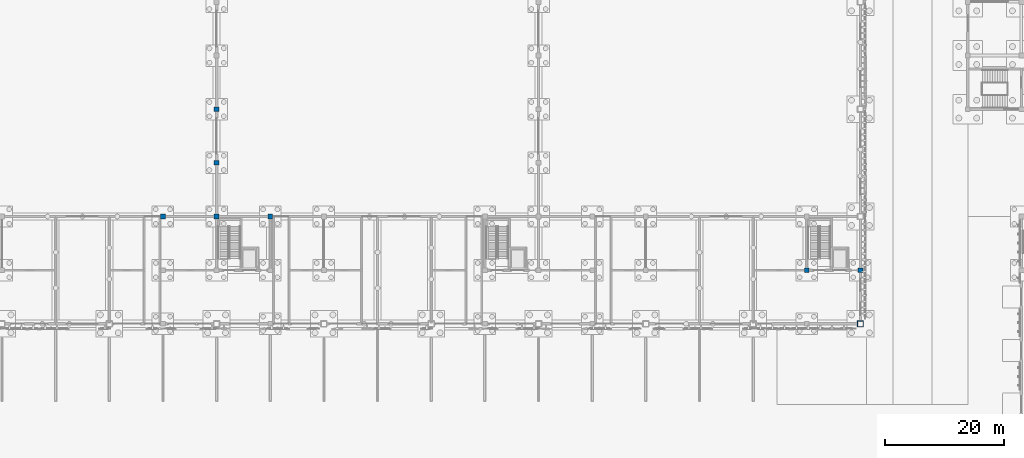
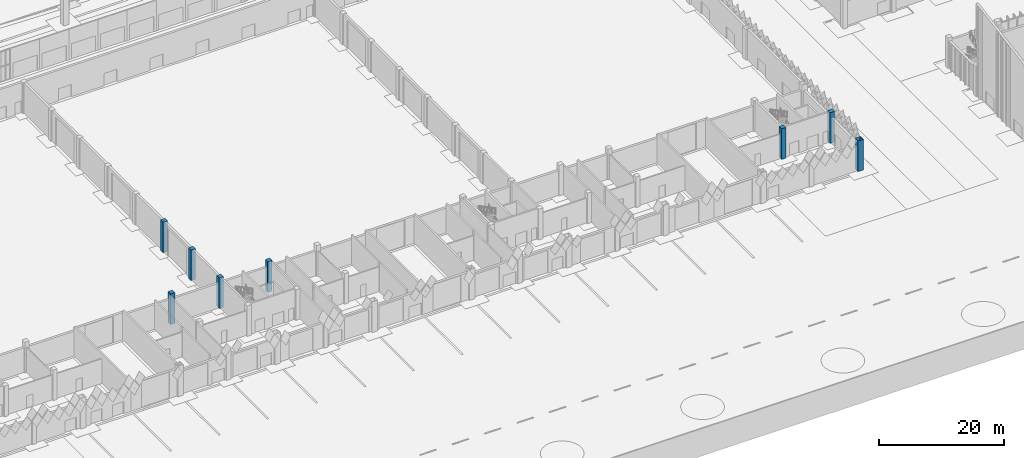
# One storey, part 21 of 198: 8 columns.
"""IFC4 building model written with IfcOpenShell, lengths in metres."""

from ifc_helpers import new_model, si_unit, direction, frame, origin, origin_2d, place, context, subcontext, project, spatial, rectangle, hollow_rectangle, extrude, material, material_profile, profile_set, type_object, element, save


model = new_model("IFC4")

# Units and contexts
model_context = context("Model", 3, precision=1e-05, world=origin(), true_north=direction((0.0, 1.0)))
body_context = subcontext(model_context, "Body", "Model", "MODEL_VIEW")
ifc_project = project(units=[si_unit("LENGTHUNIT", "METRE"), si_unit("AREAUNIT", "SQUARE_METRE"), si_unit("VOLUMEUNIT", "CUBIC_METRE"), si_unit("PLANEANGLEUNIT", "RADIAN"), si_unit("MASSUNIT", "GRAM", prefix="KILO")], contexts=[model_context])

# Site, building, storey
site_placement = place(None, origin())
site = spatial("IfcSite", under=ifc_project, at=site_placement, CompositionType="ELEMENT")
building_placement = place(site_placement, origin())
building = spatial("IfcBuilding", under=site, at=building_placement, Name="Opaline Strait Convention Centre", CompositionType="ELEMENT")
storey_placement = place(building_placement, origin())
storey = spatial("IfcBuildingStorey", under=building, at=storey_placement, Name="L00", CompositionType="ELEMENT", Elevation=0.0)

# Columns
ifc_material_1 = material(Name="Steel Q355B", Category="steel")
ifc_material_profile_1 = material_profile(ifc_material_1, hollow_rectangle(XDim=1.0, YDim=1.0, WallThickness=0.031982421875, at=origin_2d()), Name="BOX 1000x1000x32")
ifc_profile_set_1 = profile_set([ifc_material_profile_1], Name="Steel Q355B")
column_type_1 = type_object("IfcColumnType", Name="CFT column BOX 1000x1000x32 C60 fill", PredefinedType="COLUMN", material=ifc_profile_set_1)
column_placement = place(storey_placement, frame((261.0, 54.0, 0.0), z_axis=(0.0, 0.0, 1.0), x_axis=(1.0, 0.0, 0.0)))
element("IfcColumn", 1, at=column_placement, inside=storey, type_object=column_type_1, Name="Roof column XC-24", ObjectType="XC1", PredefinedType="COLUMN", context=body_context, shape_type="SweptSolid", body=[
    extrude(hollow_rectangle(XDim=1.0, YDim=1.0, WallThickness=0.031982421875, at=origin_2d()), origin(), (0.0, 0.0, 1.0), 6.0),
])
ifc_material_2 = material(Name="Concrete C40", Category="concrete")
ifc_material_profile_2 = material_profile(ifc_material_2, rectangle(XDim=0.800048828125, YDim=0.800048828125, at=origin_2d()), Name="RC 800x800")
ifc_profile_set_2 = profile_set([ifc_material_profile_2], Name="Concrete C40")
column_type_2 = type_object("IfcColumnType", Name="RC column 800x800 C40", PredefinedType="COLUMN", material=ifc_profile_set_2)
for number, where, z_axis, x_axis, name in (
    (2, (252.0, 63.0, 0.0), (0.0, 0.0, 1.0), (1.0, 0.0, 0.0), "Strip column XC-48"),
    (3, (261.0, 63.0, 0.0), (0.0, 0.0, 1.0), (1.0, 0.0, 0.0), "Strip column XC-49"),
    (4, (144.0, 72.0, 0.0), (0.0, 0.0, 1.0), (1.0, 0.0, 0.0), "Strip column XC-52"),
    (5, (153.0, 72.0, 0.0), (0.0, 0.0, 1.0), (1.0, 0.0, 0.0), "Strip column XC-53"),
    (6, (162.0, 72.0, 0.0), (0.0, 0.0, 1.0), (1.0, 0.0, 0.0), "Strip column XC-54"),
    (7, (153.0, 81.0, 0.0), (0.0, 0.0, 1.0), (1.0, 0.0, 0.0), "Fire wall pilaster"),
    (8, (153.0, 90.0, 0.0), (0.0, 0.0, 1.0), (1.0, 0.0, 0.0), "Fire wall pilaster"),
):
    element("IfcColumn", number, at=place(storey_placement, frame(where, z_axis=z_axis, x_axis=x_axis)), inside=storey, type_object=column_type_2, Name=name, ObjectType="XC2", PredefinedType="COLUMN", context=body_context, shape_type="SweptSolid", body=[
        extrude(rectangle(XDim=0.800048828125, YDim=0.800048828125, at=origin_2d()), origin(), (0.0, 0.0, 1.0), 6.0),
    ])

save(model, "model.ifc")
